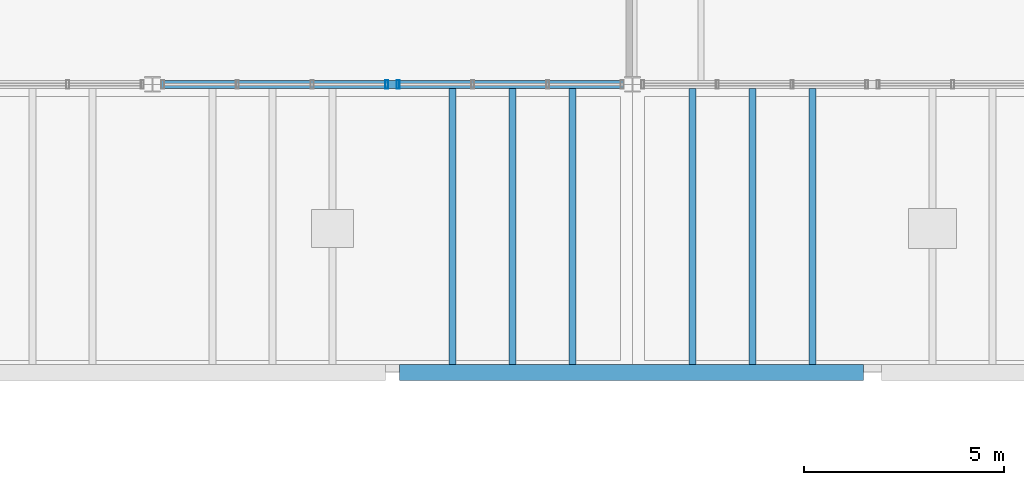
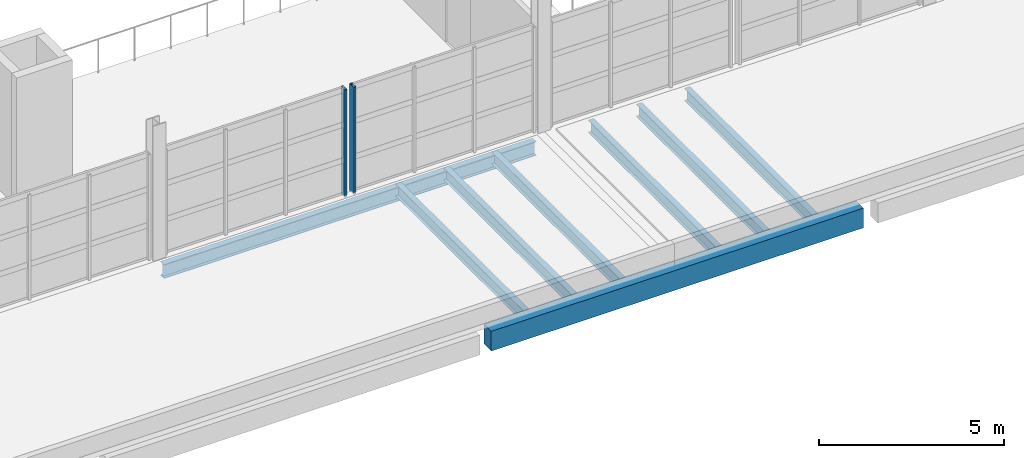
# One storey, part 32 of 114: 8 beams, 2 members, 2 elements without a shape of their own.
"""IFC4 building model written with IfcOpenShell, lengths in metres."""

from ifc_helpers import new_model, si_unit, direction, frame, origin, origin_2d, place, context, subcontext, project, spatial, rectangle, hollow_rectangle, i_section, extrude, material, material_profile, profile_set, type_object, element, aggregate, save


model = new_model("IFC4")

# Units and contexts
model_context = context("Model", 3, precision=1e-05, world=origin(), true_north=direction((0.0, 1.0)))
body_context = subcontext(model_context, "Body", "Model", "MODEL_VIEW")
ifc_project = project(units=[si_unit("LENGTHUNIT", "METRE"), si_unit("AREAUNIT", "SQUARE_METRE"), si_unit("VOLUMEUNIT", "CUBIC_METRE"), si_unit("PLANEANGLEUNIT", "RADIAN"), si_unit("MASSUNIT", "GRAM", prefix="KILO")], contexts=[model_context])

# Site, building, storey
site_placement = place(None, origin())
site = spatial("IfcSite", under=ifc_project, at=site_placement, CompositionType="ELEMENT")
building_placement = place(site_placement, origin())
building = spatial("IfcBuilding", under=site, at=building_placement, Name="Kelmvaro Bay Concert Hall", CompositionType="ELEMENT")
storey_placement = place(building_placement, frame((0.0, 0.0, 4.800048828125)))
storey = spatial("IfcBuildingStorey", under=building, at=storey_placement, Name="L01", CompositionType="ELEMENT", Elevation=4.800048828125)

# Beams
ifc_material_1 = material(Name="Concrete C40/50", Category="concrete")
ifc_material_profile_1 = material_profile(ifc_material_1, rectangle(XDim=0.39990234375, YDim=0.64990234375, at=origin_2d()), Name="RC-BM-400X650")
ifc_profile_set_1 = profile_set([ifc_material_profile_1], Name="Concrete C40/50")
beam_type_1 = type_object("IfcBeamType", Name="Canopy Edge Concrete Beam RC400x650", PredefinedType="BEAM", material=ifc_profile_set_1)
beam_1_placement = place(storey_placement, frame((78.175048828125, 0.0, -0.43505859375), z_axis=(1.0, 0.0, 0.0), x_axis=(0.0, 1.0, 0.0)))
element("IfcBeam", 1, at=beam_1_placement, inside=storey, type_object=beam_type_1, Name="L01 Girder BM-L01-EW-0008", PredefinedType="BEAM", context=body_context, shape_type="SweptSolid", body=[
    extrude(rectangle(XDim=0.39990234375, YDim=0.64990234375, at=origin_2d()), origin(), (0.0, 0.0, 1.0), 11.599853515625),
])
ifc_material_2 = material(Name="Steel ASTM A992 Grade 50", Category="steel")
ifc_material_profile_2 = material_profile(ifc_material_2, i_section(OverallWidth=0.19189453125, OverallDepth=0.4619140625, WebThickness=0.010498046875, FlangeThickness=0.017578125, at=origin_2d()), Name="W18X60")
ifc_profile_set_2 = profile_set([ifc_material_profile_2], Name="Steel ASTM A992 Grade 50")
beam_type_2 = type_object("IfcBeamType", Name="Canopy Primary Frame Beam W18x60", PredefinedType="BEAM", material=ifc_profile_set_2)
beam_2_placement = place(storey_placement, frame((72.199462890625, 7.199951171875, -0.48095703125), z_axis=(1.0, 0.0, 0.0), x_axis=(0.0, 1.0, 0.0)))
element("IfcBeam", 2, at=beam_2_placement, inside=storey, type_object=beam_type_2, Name="L01 Girder BM-L01-EW-0012", PredefinedType="BEAM", context=body_context, shape_type="SweptSolid", body=[
    extrude(i_section(OverallWidth=0.19189453125, OverallDepth=0.4619140625, WebThickness=0.010498046875, FlangeThickness=0.017578125, at=origin_2d()), origin(), (0.0, 0.0, 1.0), 11.60107421875),
])
ifc_material_3 = material(Name="Steel ASTM A992 Grade 50", Category="steel")
ifc_material_profile_3 = material_profile(ifc_material_3, i_section(OverallWidth=0.177978515625, OverallDepth=0.404052734375, WebThickness=0.007568359375, FlangeThickness=0.010986328125, at=origin_2d()), Name="W16X36")
ifc_profile_set_3 = profile_set([ifc_material_profile_3], Name="Steel ASTM A992 Grade 50")
beam_type_3 = type_object("IfcBeamType", Name="Canopy Roof Joist W16x36", PredefinedType="JOIST", material=ifc_profile_set_3)
for number, where, z_axis, x_axis, name in (
    (3, (79.5, 0.199951171875, -0.31201171875), (0.0, 1.0, 0.0), (-1.0, 0.0, 0.0), "L01 Floor Joist JST-L01-0246"),
    (4, (81.0, 0.199951171875, -0.31201171875), (0.0, 1.0, 0.0), (-1.0, 0.0, 0.0), "L01 Floor Joist JST-L01-0247"),
    (5, (82.5, 0.199951171875, -0.31201171875), (0.0, 1.0, 0.0), (-1.0, 0.0, 0.0), "L01 Floor Joist JST-L01-0248"),
    (6, (85.5, 0.199951171875, -0.31201171875), (0.0, 1.0, 0.0), (-1.0, 0.0, 0.0), "L01 Floor Joist JST-L01-0249"),
    (7, (87.0, 0.199951171875, -0.31201171875), (0.0, 1.0, 0.0), (-1.0, 0.0, 0.0), "L01 Floor Joist JST-L01-0250"),
    (8, (88.5, 0.199951171875, -0.31201171875), (0.0, 1.0, 0.0), (-1.0, 0.0, 0.0), "L01 Floor Joist JST-L01-0251"),
):
    element("IfcBeam", number, at=place(storey_placement, frame(where, z_axis=z_axis, x_axis=x_axis)), inside=storey, type_object=beam_type_3, Name=name, PredefinedType="JOIST", context=body_context, shape_type="SweptSolid", body=[
        extrude(i_section(OverallWidth=0.177978515625, OverallDepth=0.404052734375, WebThickness=0.007568359375, FlangeThickness=0.010986328125, at=origin_2d()), origin(), (0.0, 0.0, 1.0), 6.904052734375),
    ])

# Curtain wall, member
ifc_material_4 = material(Name="Anodised Aluminium and Low-E Insulated Glazing", Category="aluminium")
curtain_wall_type = type_object("IfcCurtainWallType", Name="Mezzanine Concourse Curtain Wall 4100", PredefinedType="USERDEFINED", material=ifc_material_4)
curtain_wall_1_placement = place(storey_placement, origin())
curtain_wall_1 = element("IfcCurtainWall", 9, at=curtain_wall_1_placement, inside=storey, type_object=curtain_wall_type, Name="Unitised Curtain Wall CW-L01-059", ObjectType="UNITISED GLAZING", PredefinedType="USERDEFINED")
ifc_material_5 = material(Name="Anodised Extruded Aluminium 6063-T6", Category="aluminium")
ifc_material_profile_4 = material_profile(ifc_material_5, hollow_rectangle(XDim=0.074951171875, YDim=0.219970703125, WallThickness=0.00439453125, at=origin_2d()), Name="ALU-MUL-220X75")
ifc_profile_set_4 = profile_set([ifc_material_profile_4], Name="Anodised Extruded Aluminium 6063-T6")
member_type = type_object("IfcMemberType", Name="Curtain Mullion Heavy ALU 220x75", PredefinedType="MULLION", material=ifc_profile_set_4)
member_1_placement = place(storey_placement, frame((77.860107421875, 7.199951171875, 0.0), z_axis=(0.0, 0.0, 1.0), x_axis=(1.0, 0.0, 0.0)))
member_1 = element("IfcMember", 10, at=member_1_placement, type_object=member_type, Name="CW-L01-059 Mullion 01", PredefinedType="MULLION", context=body_context, shape_type="SweptSolid", body=[
    extrude(hollow_rectangle(XDim=0.074951171875, YDim=0.219970703125, WallThickness=0.00439453125, at=origin_2d()), origin(), (0.0, 0.0, 1.0), 3.536865234375),
])
aggregate(curtain_wall_1, [member_1])

curtain_wall_2_placement = place(storey_placement, origin())
curtain_wall_2 = element("IfcCurtainWall", 11, at=curtain_wall_2_placement, inside=storey, type_object=curtain_wall_type, Name="Unitised Curtain Wall CW-L01-060", ObjectType="UNITISED GLAZING", PredefinedType="USERDEFINED")
member_2_placement = place(storey_placement, frame((78.139892578125, 7.199951171875, 0.0), z_axis=(0.0, 0.0, 1.0), x_axis=(1.0, 0.0, 0.0)))
member_2 = element("IfcMember", 12, at=member_2_placement, type_object=member_type, Name="CW-L01-060 Mullion 04", PredefinedType="MULLION", context=body_context, shape_type="SweptSolid", body=[
    extrude(hollow_rectangle(XDim=0.074951171875, YDim=0.219970703125, WallThickness=0.00439453125, at=origin_2d()), origin(), (0.0, 0.0, 1.0), 3.536865234375),
])
aggregate(curtain_wall_2, [member_2])

save(model, "model.ifc")
